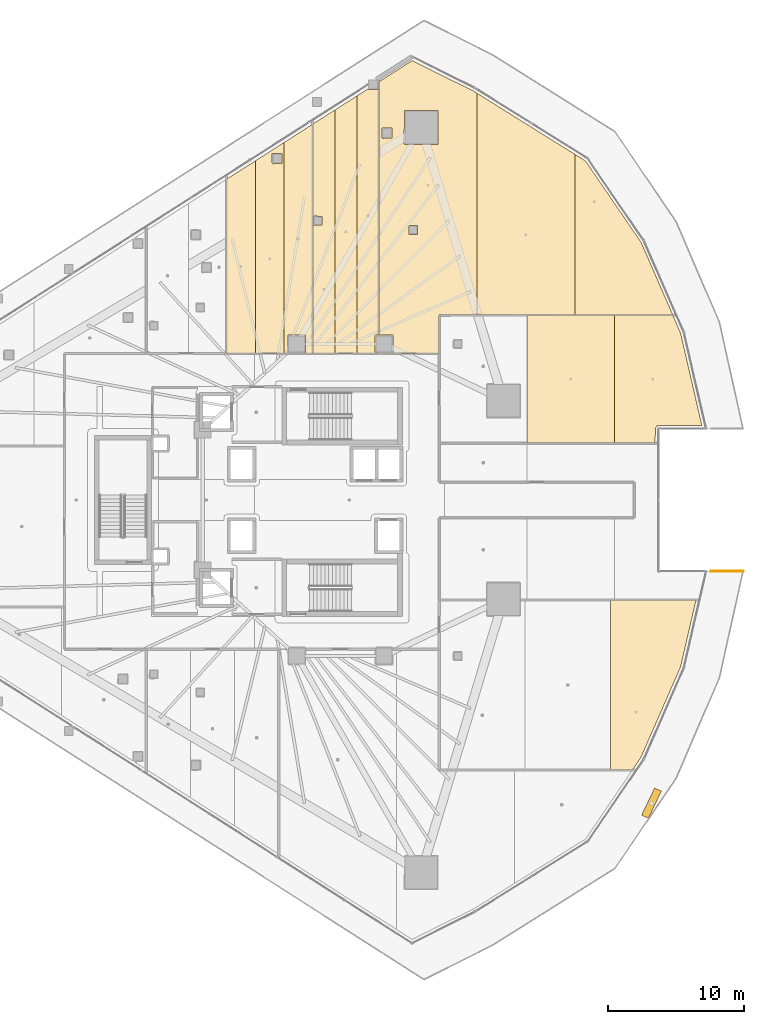
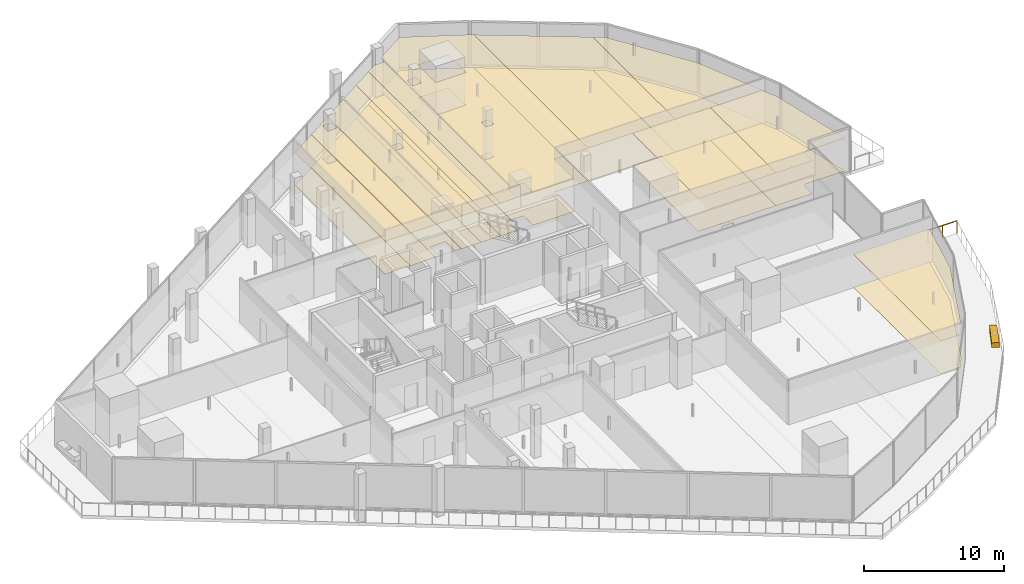
# One storey, part 44 of 44: 24 coverings, 1 railing, 1 shading device.
"""IFC4 building model written with IfcOpenShell, lengths in metres."""

from ifc_helpers import new_model, si_unit, direction, frame, origin, origin_2d, place, context, subcontext, project, spatial, polyline, rectangle, circle, outline, extrude, material, layer, layer_set, type_object, element, save


model = new_model("IFC4")

# Units and contexts
model_context = context("Model", 3, precision=1e-05, world=origin(), true_north=direction((0.0, 1.0)))
body_context = subcontext(model_context, "Body", "Model", "MODEL_VIEW")
ifc_project = project(units=[si_unit("LENGTHUNIT", "METRE"), si_unit("AREAUNIT", "SQUARE_METRE"), si_unit("VOLUMEUNIT", "CUBIC_METRE"), si_unit("PLANEANGLEUNIT", "RADIAN"), si_unit("MASSUNIT", "GRAM", prefix="KILO")], contexts=[model_context])

# Site, building, storey
site_placement = place(None, origin())
site = spatial("IfcSite", under=ifc_project, at=site_placement, CompositionType="ELEMENT")
building_placement = place(site_placement, origin())
building = spatial("IfcBuilding", under=site, at=building_placement, Name="Qorvath Tower", CompositionType="ELEMENT")
storey_placement = place(building_placement, frame((0.0, 0.0, 70.199951171875)))
storey = spatial("IfcBuildingStorey", under=building, at=storey_placement, Name="L15", CompositionType="ELEMENT", Elevation=70.199951171875)

# Coverings
ifc_material_1 = material(Name="Acoustic mineral fibre ceiling tile", Category="gypsum")
ifc_layer_1 = layer(ifc_material_1, 0.030029296875)
ifc_layer_set_1 = layer_set([ifc_layer_1], Name="COV-CEIL")
covering_type_1 = type_object("IfcCoveringType", Name="COV-CEIL", PredefinedType="CEILING", material=ifc_layer_set_1)
covering_1_placement = place(storey_placement, frame((0.0, 0.0, 2.85009765625)))
element("IfcCovering", 1, at=covering_1_placement, inside=storey, type_object=covering_type_1, Name="L15 Suspended Acoustic Ceiling 010", PredefinedType="CEILING", context=body_context, shape_type="SweptSolid", body=[
    extrude(outline(polyline([(-28.74658203125, 10.762939453125), (-26.646484375, 10.762939453125), (-26.646484375, 24.887939453125), (-28.74658203125, 23.545654296875), (-28.74658203125, 10.762939453125)])), origin(), (0.0, 0.0, 1.0), 0.030029296875),
])
covering_2_placement = place(storey_placement, frame((0.0, 0.0, 2.85009765625)))
element("IfcCovering", 2, at=covering_2_placement, inside=storey, type_object=covering_type_1, Name="L15 Suspended Acoustic Ceiling 011", PredefinedType="CEILING", context=body_context, shape_type="SweptSolid", body=[
    extrude(outline(polyline([(-26.646484375, 24.887939453125), (-26.646484375, 10.762939453125), (-24.54638671875, 10.762939453125), (-24.54638671875, 26.230224609375), (-26.646484375, 24.887939453125)]), holes=[polyline([(-25.422607421875, 24.73388671875), (-25.405029296875, 25.42626953125), (-24.670166015625, 25.42626953125), (-24.670166015625, 24.69140625), (-25.362548828125, 24.673828125), (-25.422607421875, 24.73388671875)])]), origin(), (0.0, 0.0, 1.0), 0.030029296875),
])
covering_3_placement = place(storey_placement, frame((0.0, 0.0, 2.85009765625)))
element("IfcCovering", 3, at=covering_3_placement, inside=storey, type_object=covering_type_1, Name="L15 Suspended Acoustic Ceiling 012", PredefinedType="CEILING", context=body_context, shape_type="SweptSolid", body=[
    extrude(outline(polyline([(-24.54638671875, 26.230224609375), (-24.54638671875, 10.762939453125), (-22.4462890625, 10.762939453125), (-22.4462890625, 27.572509765625), (-24.54638671875, 26.230224609375)]), holes=[polyline([(-24.260009765625, 10.85009765625), (-24.242431640625, 12.092529296875), (-22.95751953125, 12.092529296875), (-22.95751953125, 10.8076171875), (-24.199951171875, 10.7900390625), (-24.260009765625, 10.85009765625)])]), origin(), (0.0, 0.0, 1.0), 0.030029296875),
])
covering_4_placement = place(storey_placement, frame((0.0, 0.0, 2.85009765625)))
element("IfcCovering", 4, at=covering_4_placement, inside=storey, type_object=covering_type_1, Name="L15 Suspended Acoustic Ceiling 013", PredefinedType="CEILING", context=body_context, shape_type="SweptSolid", body=[
    extrude(outline(polyline([(-20.814453125, 10.762939453125), (-20.814453125, 28.615478515625), (-22.42822265625, 27.583984375), (-22.42822265625, 10.762939453125), (-20.814453125, 10.762939453125)]), holes=[polyline([(-22.38818359375, 20.77001953125), (-22.328125, 20.829833984375), (-21.73583984375, 20.812255859375), (-21.73583984375, 20.177490234375), (-22.37060546875, 20.177490234375), (-22.38818359375, 20.77001953125)])]), origin(), (0.0, 0.0, 1.0), 0.030029296875),
])
covering_5_placement = place(storey_placement, frame((0.0, 0.0, 2.85009765625)))
element("IfcCovering", 5, at=covering_5_placement, inside=storey, type_object=covering_type_1, Name="L15 Suspended Acoustic Ceiling 014", PredefinedType="CEILING", context=body_context, shape_type="SweptSolid", body=[
    extrude(outline(polyline([(-19.200439453125, 10.762939453125), (-19.200439453125, 29.64697265625), (-20.814453125, 28.615478515625), (-20.814453125, 10.762939453125), (-19.200439453125, 10.762939453125)])), origin(), (0.0, 0.0, 1.0), 0.030029296875),
])
covering_6_placement = place(storey_placement, frame((0.0, 0.0, 2.85009765625)))
element("IfcCovering", 6, at=covering_6_placement, inside=storey, type_object=covering_type_1, Name="L15 Suspended Acoustic Ceiling 015", PredefinedType="CEILING", context=body_context, shape_type="SweptSolid", body=[
    extrude(outline(polyline([(-17.586669921875, 12.110107421875), (-17.586669921875, 30.678466796875), (-17.632568359375, 30.132568359375), (-18.324951171875, 30.114990234375), (-18.3828125, 30.16943359375), (-19.200439453125, 29.64697265625), (-19.200439453125, 10.762939453125), (-17.586669921875, 10.762939453125), (-17.860107421875, 10.85009765625), (-17.860107421875, 12.050048828125), (-17.800048828125, 12.110107421875), (-17.586669921875, 12.110107421875)])), origin(), (0.0, 0.0, 1.0), 0.030029296875),
])
covering_7_placement = place(storey_placement, frame((0.0, 0.0, 2.85009765625)))
element("IfcCovering", 7, at=covering_7_placement, inside=storey, type_object=covering_type_1, Name="L15 Suspended Acoustic Ceiling 016", PredefinedType="CEILING", context=body_context, shape_type="SweptSolid", body=[
    extrude(outline(polyline([(-13.153564453125, 13.568359375), (-10.381103515625, 13.570556640625), (-10.381103515625, 29.855224609375), (-10.621337890625, 30.00537109375), (-15.1396484375, 32.242431640625), (-17.568603515625, 30.68994140625), (-17.568603515625, 12.110107421875), (-16.5576171875, 12.092529296875), (-16.5400390625, 10.85009765625), (-16.60009765625, 10.7900390625), (-17.568603515625, 10.762939453125), (-13.155029296875, 10.762939453125), (-13.153564453125, 13.568359375)]), holes=[polyline([(-15.724365234375, 26.130615234375), (-15.706787109375, 28.5732421875), (-13.221923828125, 28.5732421875), (-13.221923828125, 26.08837890625), (-15.664306640625, 26.07080078125), (-15.724365234375, 26.130615234375)]), polyline([(-15.381103515625, 20.093017578125), (-15.321044921875, 20.153076171875), (-14.728759765625, 20.135498046875), (-14.728759765625, 19.500732421875), (-15.363525390625, 19.500732421875), (-15.381103515625, 20.093017578125)]), polyline([(-17.3662109375, 26.604248046875), (-17.3486328125, 27.296630859375), (-16.61376953125, 27.296630859375), (-16.61376953125, 26.561767578125), (-17.30615234375, 26.544189453125), (-17.3662109375, 26.604248046875)])]), origin(), (0.0, 0.0, 1.0), 0.030029296875),
])
covering_8_placement = place(storey_placement, frame((0.0, 0.0, 2.85009765625)))
element("IfcCovering", 8, at=covering_8_placement, inside=storey, type_object=covering_type_1, Name="L15 Suspended Acoustic Ceiling 017", PredefinedType="CEILING", context=body_context, shape_type="SweptSolid", body=[
    extrude(outline(polyline([(-10.381103515625, 29.855224609375), (-10.381103515625, 13.570556640625), (-3.193603515625, 13.576416015625), (-3.193603515625, 25.366943359375), (-10.381103515625, 29.855224609375)])), origin(), (0.0, 0.0, 1.0), 0.030029296875),
])
covering_9_placement = place(storey_placement, frame((0.0, 0.0, 2.85009765625)))
element("IfcCovering", 9, at=covering_9_placement, inside=storey, type_object=covering_type_1, Name="L15 Suspended Acoustic Ceiling 018", PredefinedType="CEILING", context=body_context, shape_type="SweptSolid", body=[
    extrude(outline(polyline([(-3.193603515625, 25.366943359375), (-3.193603515625, 13.576416015625), (3.993896484375, 13.582275390625), (1.66650390625, 18.9091796875), (-2.411376953125, 24.87841796875), (-3.193603515625, 25.366943359375)])), origin(), (0.0, 0.0, 1.0), 0.030029296875),
])
covering_10_placement = place(storey_placement, frame((0.0, 0.0, 2.85009765625)))
element("IfcCovering", 10, at=covering_10_placement, inside=storey, type_object=covering_type_1, Name="L15 Suspended Acoustic Ceiling 027", PredefinedType="CEILING", context=body_context, shape_type="SweptSolid", body=[
    extrude(outline(polyline([(-0.58349609375, -7.3408203125), (-0.58349609375, -19.81005859375), (1.026611328125, -19.810791015625), (1.64892578125, -18.899658203125), (4.558837890625, -12.25830078125), (5.693115234375, -7.3408203125), (-0.58349609375, -7.3408203125)])), origin(), (0.0, 0.0, 1.0), 0.030029296875),
])
covering_11_placement = place(storey_placement, frame((0.0, 0.0, 2.85009765625)))
element("IfcCovering", 11, at=covering_11_placement, inside=storey, type_object=covering_type_1, Name="L15 Suspended Acoustic Ceiling 032", PredefinedType="CEILING", context=body_context, shape_type="SweptSolid", body=[
    extrude(outline(polyline([(-0.2978515625, 4.178955078125), (-0.2978515625, 13.56103515625), (-6.71728515625, 13.556396484375), (-6.71728515625, 4.178955078125), (-0.2978515625, 4.178955078125)])), origin(), (0.0, 0.0, 1.0), 0.030029296875),
])
covering_12_placement = place(storey_placement, frame((0.0, 0.0, 2.85009765625)))
element("IfcCovering", 12, at=covering_12_placement, inside=storey, type_object=covering_type_1, Name="L15 Suspended Acoustic Ceiling 033", PredefinedType="CEILING", context=body_context, shape_type="SweptSolid", body=[
    extrude(outline(polyline([(2.85888671875, 5.462158203125), (6.121826171875, 5.482177734375), (4.558837890625, 12.25830078125), (3.986572265625, 13.564208984375), (-0.2978515625, 13.56103515625), (-0.2978515625, 4.178955078125), (2.70263671875, 4.178955078125), (2.703857421875, 5.251708984375), (2.85888671875, 5.462158203125)])), origin(), (0.0, 0.0, 1.0), 0.030029296875),
])
ifc_material_2 = material(Name="Low-VOC modular carpet tile", Category="textile")
ifc_layer_2 = layer(ifc_material_2, 0.014892578125)
ifc_layer_set_2 = layer_set([ifc_layer_2], Name="COV-FLOOR-CPT")
covering_type_2 = type_object("IfcCoveringType", Name="COV-FLOOR-CPT", PredefinedType="FLOORING", material=ifc_layer_set_2)
covering_13_placement = place(storey_placement, origin())
element("IfcCovering", 13, at=covering_13_placement, inside=storey, type_object=covering_type_2, Name="L15 Floor Finish 010", PredefinedType="FLOORING", context=body_context, shape_type="SweptSolid", body=[
    extrude(outline(polyline([(-28.74658203125, 10.762939453125), (-26.646484375, 10.762939453125), (-26.646484375, 24.887939453125), (-28.74658203125, 23.545654296875), (-28.74658203125, 10.762939453125)])), origin(), (0.0, 0.0, 1.0), 0.01513671875),
])
covering_14_placement = place(storey_placement, origin())
element("IfcCovering", 14, at=covering_14_placement, inside=storey, type_object=covering_type_2, Name="L15 Floor Finish 011", PredefinedType="FLOORING", context=body_context, shape_type="SweptSolid", body=[
    extrude(outline(polyline([(-26.646484375, 24.887939453125), (-26.646484375, 10.762939453125), (-24.54638671875, 10.762939453125), (-24.54638671875, 26.230224609375), (-26.646484375, 24.887939453125)]), holes=[polyline([(-25.422607421875, 24.73388671875), (-25.405029296875, 25.42626953125), (-24.670166015625, 25.42626953125), (-24.670166015625, 24.69140625), (-25.362548828125, 24.673828125), (-25.422607421875, 24.73388671875)])]), origin(), (0.0, 0.0, 1.0), 0.01513671875),
])
covering_15_placement = place(storey_placement, origin())
element("IfcCovering", 15, at=covering_15_placement, inside=storey, type_object=covering_type_2, Name="L15 Floor Finish 012", PredefinedType="FLOORING", context=body_context, shape_type="SweptSolid", body=[
    extrude(outline(polyline([(-24.54638671875, 26.230224609375), (-24.54638671875, 10.762939453125), (-22.4462890625, 10.762939453125), (-22.4462890625, 27.572509765625), (-24.54638671875, 26.230224609375)]), holes=[polyline([(-24.260009765625, 10.85009765625), (-24.242431640625, 12.092529296875), (-22.95751953125, 12.092529296875), (-22.95751953125, 10.8076171875), (-24.199951171875, 10.7900390625), (-24.260009765625, 10.85009765625)])]), origin(), (0.0, 0.0, 1.0), 0.01513671875),
])
covering_16_placement = place(storey_placement, origin())
element("IfcCovering", 16, at=covering_16_placement, inside=storey, type_object=covering_type_2, Name="L15 Floor Finish 013", PredefinedType="FLOORING", context=body_context, shape_type="SweptSolid", body=[
    extrude(outline(polyline([(-20.814453125, 10.762939453125), (-20.814453125, 28.615478515625), (-22.42822265625, 27.583984375), (-22.42822265625, 10.762939453125), (-20.814453125, 10.762939453125)]), holes=[polyline([(-22.38818359375, 20.77001953125), (-22.328125, 20.829833984375), (-21.73583984375, 20.812255859375), (-21.73583984375, 20.177490234375), (-22.37060546875, 20.177490234375), (-22.38818359375, 20.77001953125)])]), origin(), (0.0, 0.0, 1.0), 0.01513671875),
])
covering_17_placement = place(storey_placement, origin())
element("IfcCovering", 17, at=covering_17_placement, inside=storey, type_object=covering_type_2, Name="L15 Floor Finish 014", PredefinedType="FLOORING", context=body_context, shape_type="SweptSolid", body=[
    extrude(outline(polyline([(-19.200439453125, 10.762939453125), (-19.200439453125, 29.64697265625), (-20.814453125, 28.615478515625), (-20.814453125, 10.762939453125), (-19.200439453125, 10.762939453125)])), origin(), (0.0, 0.0, 1.0), 0.01513671875),
])
covering_18_placement = place(storey_placement, origin())
element("IfcCovering", 18, at=covering_18_placement, inside=storey, type_object=covering_type_2, Name="L15 Floor Finish 015", PredefinedType="FLOORING", context=body_context, shape_type="SweptSolid", body=[
    extrude(outline(polyline([(-17.586669921875, 12.110107421875), (-17.586669921875, 30.678466796875), (-17.632568359375, 30.132568359375), (-18.324951171875, 30.114990234375), (-18.3828125, 30.16943359375), (-19.200439453125, 29.64697265625), (-19.200439453125, 10.762939453125), (-17.586669921875, 10.762939453125), (-17.860107421875, 10.85009765625), (-17.860107421875, 12.050048828125), (-17.800048828125, 12.110107421875), (-17.586669921875, 12.110107421875)])), origin(), (0.0, 0.0, 1.0), 0.01513671875),
])
covering_19_placement = place(storey_placement, origin())
element("IfcCovering", 19, at=covering_19_placement, inside=storey, type_object=covering_type_2, Name="L15 Floor Finish 016", PredefinedType="FLOORING", context=body_context, shape_type="SweptSolid", body=[
    extrude(outline(polyline([(-13.153564453125, 13.568359375), (-10.381103515625, 13.570556640625), (-10.381103515625, 29.855224609375), (-10.621337890625, 30.00537109375), (-15.1396484375, 32.242431640625), (-17.568603515625, 30.68994140625), (-17.568603515625, 12.110107421875), (-16.5576171875, 12.092529296875), (-16.5400390625, 10.85009765625), (-16.60009765625, 10.7900390625), (-17.568603515625, 10.762939453125), (-13.155029296875, 10.762939453125), (-13.153564453125, 13.568359375)]), holes=[polyline([(-15.724365234375, 26.130615234375), (-15.706787109375, 28.5732421875), (-13.221923828125, 28.5732421875), (-13.221923828125, 26.08837890625), (-15.664306640625, 26.07080078125), (-15.724365234375, 26.130615234375)]), polyline([(-15.381103515625, 20.093017578125), (-15.321044921875, 20.153076171875), (-14.728759765625, 20.135498046875), (-14.728759765625, 19.500732421875), (-15.363525390625, 19.500732421875), (-15.381103515625, 20.093017578125)]), polyline([(-17.3662109375, 26.604248046875), (-17.3486328125, 27.296630859375), (-16.61376953125, 27.296630859375), (-16.61376953125, 26.561767578125), (-17.30615234375, 26.544189453125), (-17.3662109375, 26.604248046875)])]), origin(), (0.0, 0.0, 1.0), 0.01513671875),
])
covering_20_placement = place(storey_placement, origin())
element("IfcCovering", 20, at=covering_20_placement, inside=storey, type_object=covering_type_2, Name="L15 Floor Finish 017", PredefinedType="FLOORING", context=body_context, shape_type="SweptSolid", body=[
    extrude(outline(polyline([(-10.381103515625, 29.855224609375), (-10.381103515625, 13.570556640625), (-3.193603515625, 13.576416015625), (-3.193603515625, 25.366943359375), (-10.381103515625, 29.855224609375)])), origin(), (0.0, 0.0, 1.0), 0.01513671875),
])
covering_21_placement = place(storey_placement, origin())
element("IfcCovering", 21, at=covering_21_placement, inside=storey, type_object=covering_type_2, Name="L15 Floor Finish 018", PredefinedType="FLOORING", context=body_context, shape_type="SweptSolid", body=[
    extrude(outline(polyline([(-3.193603515625, 25.366943359375), (-3.193603515625, 13.576416015625), (3.993896484375, 13.582275390625), (1.66650390625, 18.9091796875), (-2.411376953125, 24.87841796875), (-3.193603515625, 25.366943359375)])), origin(), (0.0, 0.0, 1.0), 0.01513671875),
])
covering_22_placement = place(storey_placement, origin())
element("IfcCovering", 22, at=covering_22_placement, inside=storey, type_object=covering_type_2, Name="L15 Floor Finish 027", PredefinedType="FLOORING", context=body_context, shape_type="SweptSolid", body=[
    extrude(outline(polyline([(-0.58349609375, -7.3408203125), (-0.58349609375, -19.81005859375), (1.026611328125, -19.810791015625), (1.64892578125, -18.899658203125), (4.558837890625, -12.25830078125), (5.693115234375, -7.3408203125), (-0.58349609375, -7.3408203125)])), origin(), (0.0, 0.0, 1.0), 0.01513671875),
])
covering_23_placement = place(storey_placement, origin())
element("IfcCovering", 23, at=covering_23_placement, inside=storey, type_object=covering_type_2, Name="L15 Floor Finish 032", PredefinedType="FLOORING", context=body_context, shape_type="SweptSolid", body=[
    extrude(outline(polyline([(-0.2978515625, 4.178955078125), (-0.2978515625, 13.56103515625), (-6.71728515625, 13.556396484375), (-6.71728515625, 4.178955078125), (-0.2978515625, 4.178955078125)])), origin(), (0.0, 0.0, 1.0), 0.01513671875),
])
covering_24_placement = place(storey_placement, origin())
element("IfcCovering", 24, at=covering_24_placement, inside=storey, type_object=covering_type_2, Name="L15 Floor Finish 033", PredefinedType="FLOORING", context=body_context, shape_type="SweptSolid", body=[
    extrude(outline(polyline([(2.85888671875, 5.462158203125), (6.121826171875, 5.482177734375), (4.558837890625, 12.25830078125), (3.986572265625, 13.564208984375), (-0.2978515625, 13.56103515625), (-0.2978515625, 4.178955078125), (2.70263671875, 4.178955078125), (2.703857421875, 5.251708984375), (2.85888671875, 5.462158203125)])), origin(), (0.0, 0.0, 1.0), 0.01513671875),
])

# Railing
ifc_material_3 = material(Name="Laminated safety glass and stainless steel AISI 316", Category="steel")
railing_type = type_object("IfcRailingType", Name="RL-EXT-GRD", PredefinedType="GUARDRAIL", material=ifc_material_3)
railing_placement = place(storey_placement, frame((6.7919921875, -5.227294921875, 0.0)))
element("IfcRailing", 25, at=railing_placement, inside=storey, type_object=railing_type, Name="Loggia Perimeter Guardrail L15-1.2", PredefinedType="GUARDRAIL", context=body_context, shape_type="SweptSolid", body=[
    extrude(circle(Radius=0.02392578125, at=origin_2d()), frame((0.0, 0.0, 1.09619140625), z_axis=(1.0, 0.0, 0.0), x_axis=(0.0, 1.0, 0.0)), (0.0, 0.0, 1.0), 2.366455078125),
    extrude(circle(Radius=0.02099609375, at=origin_2d()), origin(), (0.0, 0.0, 1.0), 1.072021484375),
    extrude(circle(Radius=0.02099609375, at=origin_2d()), frame((1.18310546875, 0.0, 0.0)), (0.0, 0.0, 1.0), 1.072021484375),
    extrude(circle(Radius=0.02099609375, at=origin_2d()), frame((2.366455078125, 0.0, 0.0)), (0.0, 0.0, 1.0), 1.072021484375),
])

# Shading device
ifc_material_4 = material(Name="Anodised bronze-champagne aluminium", Category="aluminium")
shading_device_type = type_object("IfcShadingDeviceType", Name="SD-LOUVRE", PredefinedType="JALOUSIE", material=ifc_material_4)
shading_device_placement = place(storey_placement, frame((2.427001953125, -22.24462890625, 3.500244140625), z_axis=(0.0, 0.0, 1.0), x_axis=(0.430503220249, 0.902589041234, 0.0)))
element("IfcShadingDevice", 26, at=shading_device_placement, inside=storey, type_object=shading_device_type, Name="Sinusoidal Wave Louvre Blade L15-02", PredefinedType="NOTDEFINED", context=body_context, shape_type="SweptSolid", body=[
    extrude(rectangle(XDim=2.199951171875, YDim=0.550048828125, at=origin_2d()), origin(), (0.0, 0.0, 1.0), 0.419921875),
])

save(model, "model.ifc")
